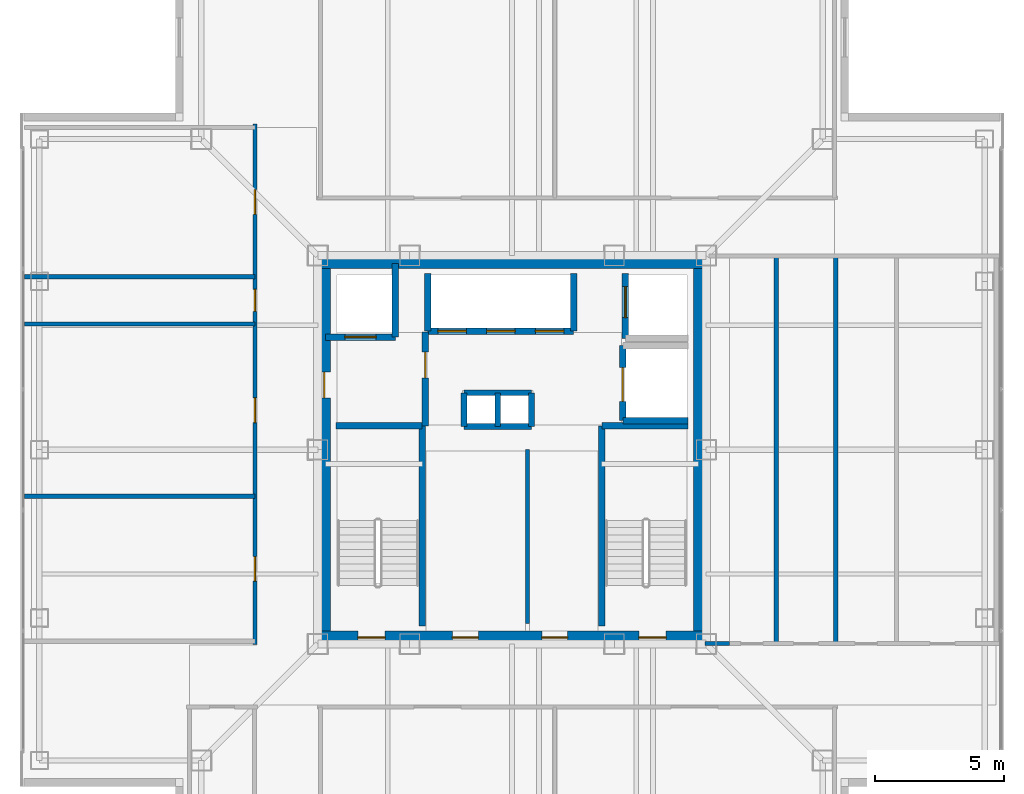
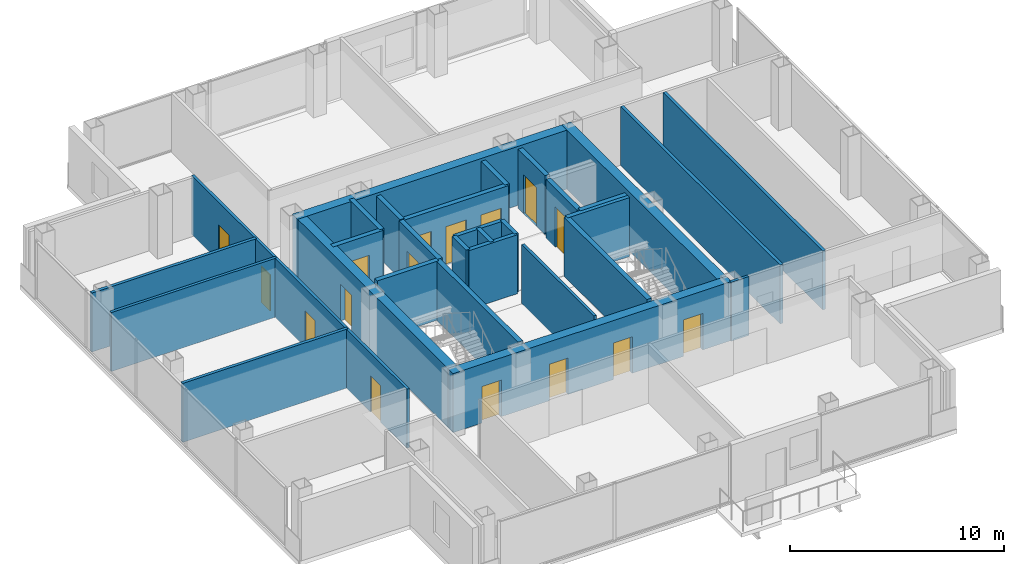
# One storey, part 8 of 15: 30 walls, 16 doors, 16 openings.
"""IFC4 building model written with IfcOpenShell, lengths in metres."""

from ifc_helpers import new_model, si_unit, direction, frame, frame_2d, origin, place, context, subcontext, project, spatial, rectangle, extrude, material, layer, layer_set, type_object, element, fill, save


model = new_model("IFC4")

# Units and contexts
model_context = context("Model", 3, precision=1e-05, world=origin(), true_north=direction((0.0, 1.0)))
body_context = subcontext(model_context, "Body", "Model", "MODEL_VIEW")
ifc_project = project(units=[si_unit("LENGTHUNIT", "METRE"), si_unit("AREAUNIT", "SQUARE_METRE"), si_unit("VOLUMEUNIT", "CUBIC_METRE"), si_unit("PLANEANGLEUNIT", "RADIAN"), si_unit("MASSUNIT", "GRAM", prefix="KILO")], contexts=[model_context])

# Site, building, storey
site_placement = place(None, origin())
site = spatial("IfcSite", under=ifc_project, at=site_placement, CompositionType="ELEMENT")
building_placement = place(site_placement, origin())
building = spatial("IfcBuilding", under=site, at=building_placement, Name="Trevonay Congress Spire", CompositionType="ELEMENT")
storey_placement = place(building_placement, frame((0.0, 0.0, 275.60009765625)))
storey = spatial("IfcBuildingStorey", under=building, at=storey_placement, Name="L72", CompositionType="ELEMENT", Elevation=275.60009765625)

# Wall, openings, doors
ifc_material_1 = material(Name="Concrete C50/60", Category="concrete")
ifc_layer_1 = layer(ifc_material_1, 0.5, Name="Concrete C50/60")
ifc_layer_set_1 = layer_set([ifc_layer_1], Name="Concrete C50/60")
wall_type_1 = type_object("IfcWallType", Name="WAL-CORE-500", PredefinedType="SHEAR", material=ifc_layer_set_1)
wall_1_placement = place(storey_placement, frame((-7.5, -7.25, 0.0), z_axis=(0.0, 0.0, 1.0), x_axis=(1.0, 0.0, 0.0)))
wall_1 = element("IfcWall", 1, at=wall_1_placement, inside=storey, type_object=wall_type_1, Name="L72 South structural core shear wall", PredefinedType="SHEAR", context=body_context, shape_type="SweptSolid", body=[
    extrude(rectangle(XDim=15.0, YDim=0.5, at=frame_2d((7.5, 0.0))), origin(), (0.0, 0.0, 1.0), 3.35986328125),
])
opening_1_placement = place(wall_1_placement, frame((1.550048828125, 0.0, 0.0)))
opening_1 = element("IfcOpeningElement", 2, at=opening_1_placement, cuts=wall_1, Name="Opening D05", PredefinedType="OPENING", context=body_context, shape_type="SweptSolid", body=[
    extrude(rectangle(XDim=1.050048828125, YDim=2.080078125, at=frame_2d((0.52490234375, 1.0400390625))), frame((0.0, 0.260009765625, 0.0), z_axis=(0.0, -1.0, 0.0), x_axis=(1.0, 0.0, 0.0)), (0.0, 0.0, 1.0), 0.52001953125),
])
opening_2_placement = place(wall_1_placement, frame((12.39990234375, 0.0, 0.0)))
opening_2 = element("IfcOpeningElement", 3, at=opening_2_placement, cuts=wall_1, Name="Opening D05", PredefinedType="OPENING", context=body_context, shape_type="SweptSolid", body=[
    extrude(rectangle(XDim=1.050048828125, YDim=2.080078125, at=frame_2d((0.52490234375, 1.0400390625))), frame((0.0, 0.260009765625, 0.0), z_axis=(0.0, -1.0, 0.0), x_axis=(1.0, 0.0, 0.0)), (0.0, 0.0, 1.0), 0.52001953125),
])
opening_3_placement = place(wall_1_placement, frame((5.199951171875, 0.0, 0.0)))
opening_3 = element("IfcOpeningElement", 4, at=opening_3_placement, cuts=wall_1, Name="Opening D06", PredefinedType="OPENING", context=body_context, shape_type="SweptSolid", body=[
    extrude(rectangle(XDim=1.0, YDim=2.080078125, at=frame_2d((0.5, 1.0400390625))), frame((0.0, 0.260009765625, 0.0), z_axis=(0.0, -1.0, 0.0), x_axis=(1.0, 0.0, 0.0)), (0.0, 0.0, 1.0), 0.52001953125),
])
opening_4_placement = place(wall_1_placement, frame((8.64990234375, 0.0, 0.0)))
opening_4 = element("IfcOpeningElement", 5, at=opening_4_placement, cuts=wall_1, Name="Opening D06", PredefinedType="OPENING", context=body_context, shape_type="SweptSolid", body=[
    extrude(rectangle(XDim=1.0, YDim=2.080078125, at=frame_2d((0.5, 1.0400390625))), frame((0.0, 0.260009765625, 0.0), z_axis=(0.0, -1.0, 0.0), x_axis=(1.0, 0.0, 0.0)), (0.0, 0.0, 1.0), 0.52001953125),
])
ifc_material_2 = material(Name="Steel ASTM A572 Grade 50", Category="steel")
door_type_1 = type_object("IfcDoorType", Name="DOR-FIRE-100", OperationType="NOTDEFINED", PredefinedType="DOOR", material=ifc_material_2)
door_1_placement = place(opening_3_placement, origin())
door_1 = element("IfcDoor", 6, at=door_1_placement, inside=storey, type_object=door_type_1, Name="L72 South Core Room 1 Door", OperationType="SINGLE_SWING_RIGHT", OverallHeight=2.080078125, OverallWidth=1.0, PredefinedType="DOOR", context=body_context, shape_type="SweptSolid", body=[
    extrude(rectangle(XDim=1.0, YDim=2.080078125, at=frame_2d((0.5, 1.0400390625))), frame((0.0, 0.02490234375, 0.0), z_axis=(0.0, -1.0, 0.0), x_axis=(1.0, 0.0, 0.0)), (0.0, 0.0, 1.0), 0.050048828125),
])
fill(opening_3, door_1)
door_2_placement = place(opening_4_placement, origin())
door_2 = element("IfcDoor", 7, at=door_2_placement, inside=storey, type_object=door_type_1, Name="L72 South Core Room 2 Door", OperationType="SINGLE_SWING_LEFT", OverallHeight=2.080078125, OverallWidth=1.0, PredefinedType="DOOR", context=body_context, shape_type="SweptSolid", body=[
    extrude(rectangle(XDim=1.0, YDim=2.080078125, at=frame_2d((0.5, 1.0400390625))), frame((0.0, 0.02490234375, 0.0), z_axis=(0.0, -1.0, 0.0), x_axis=(1.0, 0.0, 0.0)), (0.0, 0.0, 1.0), 0.050048828125),
])
fill(opening_4, door_2)
door_type_2 = type_object("IfcDoorType", Name="DOR-STAIR-110", OperationType="NOTDEFINED", PredefinedType="DOOR", material=ifc_material_2)
door_3_placement = place(opening_1_placement, origin())
door_3 = element("IfcDoor", 8, at=door_3_placement, inside=storey, type_object=door_type_2, Name="L72 Protected Stair ST-1 Door", OperationType="SINGLE_SWING_LEFT", OverallHeight=2.080078125, OverallWidth=1.050048828125, PredefinedType="DOOR", context=body_context, shape_type="SweptSolid", body=[
    extrude(rectangle(XDim=1.050048828125, YDim=2.080078125, at=frame_2d((0.52490234375, 1.0400390625))), frame((0.0, 0.02490234375, 0.0), z_axis=(0.0, -1.0, 0.0), x_axis=(1.0, 0.0, 0.0)), (0.0, 0.0, 1.0), 0.050048828125),
])
fill(opening_1, door_3)
door_4_placement = place(opening_2_placement, origin())
door_4 = element("IfcDoor", 9, at=door_4_placement, inside=storey, type_object=door_type_2, Name="L72 Protected Stair ST-2 Door", OperationType="SINGLE_SWING_RIGHT", OverallHeight=2.080078125, OverallWidth=1.050048828125, PredefinedType="DOOR", context=body_context, shape_type="SweptSolid", body=[
    extrude(rectangle(XDim=1.050048828125, YDim=2.080078125, at=frame_2d((0.52490234375, 1.0400390625))), frame((0.0, 0.02490234375, 0.0), z_axis=(0.0, -1.0, 0.0), x_axis=(1.0, 0.0, 0.0)), (0.0, 0.0, 1.0), 0.050048828125),
])
fill(opening_2, door_4)

# Wall
wall_2_placement = place(storey_placement, frame((-7.5, 7.25, 0.0), z_axis=(0.0, 0.0, 1.0), x_axis=(1.0, 0.0, 0.0)))
element("IfcWall", 10, at=wall_2_placement, inside=storey, type_object=wall_type_1, Name="L72 North structural core shear wall", PredefinedType="SHEAR", context=body_context, shape_type="SweptSolid", body=[
    extrude(rectangle(XDim=15.0, YDim=0.5, at=frame_2d((7.5, 0.0))), origin(), (0.0, 0.0, 1.0), 3.35986328125),
])

# Wall, opening, door
wall_3_placement = place(storey_placement, frame((-7.25, -7.5, 0.0), z_axis=(0.0, 0.0, 1.0), x_axis=(0.0, 1.0, 0.0)))
wall_3 = element("IfcWall", 11, at=wall_3_placement, inside=storey, type_object=wall_type_1, Name="L72 West structural core shear wall", PredefinedType="SHEAR", context=body_context, shape_type="SweptSolid", body=[
    extrude(rectangle(XDim=15.0, YDim=0.5, at=frame_2d((7.5, 0.0))), origin(), (0.0, 0.0, 1.0), 3.35986328125),
])
opening_5_placement = place(wall_3_placement, frame((9.5, 0.0, 0.0)))
opening_5 = element("IfcOpeningElement", 12, at=opening_5_placement, cuts=wall_3, Name="Opening D06", PredefinedType="OPENING", context=body_context, shape_type="SweptSolid", body=[
    extrude(rectangle(XDim=1.0, YDim=2.080078125, at=frame_2d((0.5, 1.0400390625))), frame((0.0, 0.260009765625, 0.0), z_axis=(0.0, -1.0, 0.0), x_axis=(1.0, 0.0, 0.0)), (0.0, 0.0, 1.0), 0.52001953125),
])
door_5_placement = place(opening_5_placement, origin())
door_5 = element("IfcDoor", 13, at=door_5_placement, inside=storey, type_object=door_type_1, Name="L72 Firefighting Lift Lobby West Corridor Door", OperationType="SINGLE_SWING_LEFT", OverallHeight=2.080078125, OverallWidth=1.0, PredefinedType="DOOR", context=body_context, shape_type="SweptSolid", body=[
    extrude(rectangle(XDim=1.0, YDim=2.080078125, at=frame_2d((0.5, 1.0400390625))), frame((0.0, 0.02490234375, 0.0), z_axis=(0.0, -1.0, 0.0), x_axis=(1.0, 0.0, 0.0)), (0.0, 0.0, 1.0), 0.050048828125),
])
fill(opening_5, door_5)

# Wall
wall_4_placement = place(storey_placement, frame((7.25, -7.5, 0.0), z_axis=(0.0, 0.0, 1.0), x_axis=(0.0, 1.0, 0.0)))
element("IfcWall", 14, at=wall_4_placement, inside=storey, type_object=wall_type_1, Name="L72 East structural core shear wall", PredefinedType="SHEAR", context=body_context, shape_type="SweptSolid", body=[
    extrude(rectangle(XDim=15.0, YDim=0.5, at=frame_2d((7.5, 0.0))), origin(), (0.0, 0.0, 1.0), 3.35986328125),
])

# Wall, openings, doors
ifc_material_3 = material(Name="Concrete C40/50", Category="concrete")
ifc_layer_2 = layer(ifc_material_3, 0.14990234375, Name="Concrete C40/50")
ifc_layer_set_2 = layer_set([ifc_layer_2], Name="Concrete C40/50")
wall_type_2 = type_object("IfcWallType", Name="WAL-CORR-150", PredefinedType="PARTITIONING", material=ifc_layer_set_2)
wall_5_placement = place(storey_placement, frame((-9.929931640625, -7.52001953125, 0.0), z_axis=(0.0, 0.0, 1.0), x_axis=(0.0, 1.0, 0.0)))
wall_5 = element("IfcWall", 15, at=wall_5_placement, inside=storey, type_object=wall_type_2, Name="L72 interior wall WP-L72NW-COR", PredefinedType="PARTITIONING", context=body_context, shape_type="SweptSolid", body=[
    extrude(rectangle(XDim=20.090087890625, YDim=0.14990234375, at=frame_2d((10.044921875, 0.0))), origin(), (0.0, 0.0, 1.0), 3.35986328125),
])
opening_6_placement = place(wall_5_placement, frame((2.445068359375, 0.0, 0.0)))
opening_6 = element("IfcOpeningElement", 16, at=opening_6_placement, cuts=wall_5, Name="Opening D07", PredefinedType="OPENING", context=body_context, shape_type="SweptSolid", body=[
    extrude(rectangle(XDim=0.949951171875, YDim=2.06005859375, at=frame_2d((0.47509765625, 1.030029296875))), frame((0.0, 0.0849609375, 0.0), z_axis=(0.0, -1.0, 0.0), x_axis=(1.0, 0.0, 0.0)), (0.0, 0.0, 1.0), 0.169921875),
])
opening_7_placement = place(wall_5_placement, frame((8.570068359375, 0.0, 0.0)))
opening_7 = element("IfcOpeningElement", 17, at=opening_7_placement, cuts=wall_5, Name="Opening D07", PredefinedType="OPENING", context=body_context, shape_type="SweptSolid", body=[
    extrude(rectangle(XDim=0.949951171875, YDim=2.06005859375, at=frame_2d((0.47509765625, 1.030029296875))), frame((0.0, 0.0849609375, 0.0), z_axis=(0.0, -1.0, 0.0), x_axis=(1.0, 0.0, 0.0)), (0.0, 0.0, 1.0), 0.169921875),
])
opening_8_placement = place(wall_5_placement, frame((12.860107421875, 0.0, 0.0)))
opening_8 = element("IfcOpeningElement", 18, at=opening_8_placement, cuts=wall_5, Name="Opening D10", PredefinedType="OPENING", context=body_context, shape_type="SweptSolid", body=[
    extrude(rectangle(XDim=0.85009765625, YDim=2.050048828125, at=frame_2d((0.425048828125, 1.02490234375))), frame((0.0, 0.0849609375, 0.0), z_axis=(0.0, -1.0, 0.0), x_axis=(1.0, 0.0, 0.0)), (0.0, 0.0, 1.0), 0.169921875),
])
opening_9_placement = place(wall_5_placement, frame((16.610107421875, 0.0, 0.0)))
opening_9 = element("IfcOpeningElement", 19, at=opening_9_placement, cuts=wall_5, Name="Opening D07", PredefinedType="OPENING", context=body_context, shape_type="SweptSolid", body=[
    extrude(rectangle(XDim=0.949951171875, YDim=2.06005859375, at=frame_2d((0.47509765625, 1.030029296875))), frame((0.0, 0.0849609375, 0.0), z_axis=(0.0, -1.0, 0.0), x_axis=(1.0, 0.0, 0.0)), (0.0, 0.0, 1.0), 0.169921875),
])
ifc_material_4 = material(Name="Pale Anodised Aluminium EN AW-6063-T6", Category="aluminium")
door_type_3 = type_object("IfcDoorType", Name="DOR-OFFICE-95", OperationType="NOTDEFINED", PredefinedType="DOOR", material=ifc_material_4)
door_6_placement = place(opening_6_placement, origin())
door_6 = element("IfcDoor", 20, at=door_6_placement, inside=storey, type_object=door_type_3, Name="L72 Green Bonds Desk Office Door", OperationType="SINGLE_SWING_RIGHT", OverallHeight=2.06005859375, OverallWidth=0.949951171875, PredefinedType="DOOR", context=body_context, shape_type="SweptSolid", body=[
    extrude(rectangle(XDim=0.949951171875, YDim=2.06005859375, at=frame_2d((0.47509765625, 1.030029296875))), frame((0.0, 0.02490234375, 0.0), z_axis=(0.0, -1.0, 0.0), x_axis=(1.0, 0.0, 0.0)), (0.0, 0.0, 1.0), 0.050048828125),
])
fill(opening_6, door_6)
door_7_placement = place(opening_7_placement, origin())
door_7 = element("IfcDoor", 21, at=door_7_placement, inside=storey, type_object=door_type_3, Name="L72 Infrastructure Desk Office Door", OperationType="SINGLE_SWING_LEFT", OverallHeight=2.06005859375, OverallWidth=0.949951171875, PredefinedType="DOOR", context=body_context, shape_type="SweptSolid", body=[
    extrude(rectangle(XDim=0.949951171875, YDim=2.06005859375, at=frame_2d((0.47509765625, 1.030029296875))), frame((0.0, 0.02490234375, 0.0), z_axis=(0.0, -1.0, 0.0), x_axis=(1.0, 0.0, 0.0)), (0.0, 0.0, 1.0), 0.050048828125),
])
fill(opening_7, door_7)
door_8_placement = place(opening_9_placement, origin())
door_8 = element("IfcDoor", 22, at=door_8_placement, inside=storey, type_object=door_type_3, Name="L72 Floor Supplies and Copy Room Door", OperationType="SINGLE_SWING_LEFT", OverallHeight=2.06005859375, OverallWidth=0.949951171875, PredefinedType="DOOR", context=body_context, shape_type="SweptSolid", body=[
    extrude(rectangle(XDim=0.949951171875, YDim=2.06005859375, at=frame_2d((0.47509765625, 1.030029296875))), frame((0.0, 0.02490234375, 0.0), z_axis=(0.0, -1.0, 0.0), x_axis=(1.0, 0.0, 0.0)), (0.0, 0.0, 1.0), 0.050048828125),
])
fill(opening_9, door_8)
door_type_4 = type_object("IfcDoorType", Name="DOR-WC-85", OperationType="NOTDEFINED", PredefinedType="DOOR", material=ifc_material_4)
door_9_placement = place(opening_8_placement, origin())
door_9 = element("IfcDoor", 23, at=door_9_placement, inside=storey, type_object=door_type_4, Name="L72 Accessible WC Door", OperationType="SINGLE_SWING_RIGHT", OverallHeight=2.050048828125, OverallWidth=0.85009765625, PredefinedType="DOOR", context=body_context, shape_type="SweptSolid", body=[
    extrude(rectangle(XDim=0.85009765625, YDim=2.050048828125, at=frame_2d((0.425048828125, 1.02490234375))), frame((0.0, 0.02490234375, 0.0), z_axis=(0.0, -1.0, 0.0), x_axis=(1.0, 0.0, 0.0)), (0.0, 0.0, 1.0), 0.050048828125),
])
fill(opening_8, door_9)

# Walls
wall_6_placement = place(storey_placement, frame((7.449951171875, -7.47998046875, 0.0), z_axis=(0.0, 0.0, 1.0), x_axis=(1.0, 0.0, 0.0)))
element("IfcWall", 24, at=wall_6_placement, inside=storey, type_object=wall_type_2, Name="L72 interior wall WP-L72E-STUB", PredefinedType="PARTITIONING", context=body_context, shape_type="SweptSolid", body=[
    extrude(rectangle(XDim=0.949951171875, YDim=0.14990234375, at=frame_2d((0.47509765625, 0.0))), origin(), (0.0, 0.0, 1.0), 3.35986328125),
])
ifc_layer_3 = layer(ifc_material_3, 0.14990234375, Name="Concrete C40/50")
ifc_layer_set_3 = layer_set([ifc_layer_3], Name="Concrete C40/50")
wall_type_3 = type_object("IfcWallType", Name="WAL-PART-150", PredefinedType="PARTITIONING", material=ifc_layer_set_3)
wall_7_placement = place(storey_placement, frame((0.60009765625, -6.719970703125, 0.0), z_axis=(0.0, 0.0, 1.0), x_axis=(0.0, 1.0, 0.0)))
element("IfcWall", 25, at=wall_7_placement, inside=storey, type_object=wall_type_3, Name="L72 interior wall CW-F1V-L72", PredefinedType="PARTITIONING", context=body_context, shape_type="SweptSolid", body=[
    extrude(rectangle(XDim=6.719970703125, YDim=0.14990234375, at=frame_2d((3.35986328125, 0.0))), origin(), (0.0, 0.0, 1.0), 3.35986328125),
])
wall_8_placement = place(storey_placement, frame((-18.820068359375, 4.85009765625, 0.0), z_axis=(0.0, 0.0, 1.0), x_axis=(1.0, 0.0, 0.0)))
element("IfcWall", 26, at=wall_8_placement, inside=storey, type_object=wall_type_3, Name="L72 interior wall WP-L72NW-DIV3", PredefinedType="PARTITIONING", context=body_context, shape_type="SweptSolid", body=[
    extrude(rectangle(XDim=8.89013671875, YDim=0.14990234375, at=frame_2d((4.445068359375, 0.0))), origin(), (0.0, 0.0, 1.0), 3.35986328125),
])
ifc_layer_4 = layer(ifc_material_3, 0.219970703125, Name="Concrete C40/50")
ifc_layer_set_4 = layer_set([ifc_layer_4], Name="Concrete C40/50")
wall_type_4 = type_object("IfcWallType", Name="WAL-SHAFT-220", PredefinedType="PARTITIONING", material=ifc_layer_set_4)
for number, where, z_axis, x_axis, name in (
    (27, (-1.85009765625, 2.199951171875, 0.0), (0.0, 0.0, 1.0), (1.0, 0.0, 0.0), "L72 interior shaft wall WSH-L72-RSR-N"),
    (28, (-1.85009765625, 0.89990234375, 0.0), (0.0, 0.0, 1.0), (1.0, 0.0, 0.0), "L72 interior shaft wall WSH-L72-RSR-S"),
):
    element("IfcWall", number, at=place(storey_placement, frame(where, z_axis=z_axis, x_axis=x_axis)), inside=storey, type_object=wall_type_4, Name=name, PredefinedType="PARTITIONING", context=body_context, shape_type="SweptSolid", body=[
        extrude(rectangle(XDim=2.60009765625, YDim=0.219970703125, at=frame_2d((1.300048828125, 0.0))), origin(), (0.0, 0.0, 1.0), 3.35986328125),
    ])
for number, where, z_axis, x_axis, name in (
    (29, (-0.550048828125, 0.89990234375, 0.0), (0.0, 0.0, 1.0), (0.0, 1.0, 0.0), "L72 interior shaft wall WSH-L72-RSR-M"),
    (30, (0.75, 0.89990234375, 0.0), (0.0, 0.0, 1.0), (0.0, 1.0, 0.0), "L72 interior shaft wall WSH-L72-RSR-E"),
    (31, (-1.85009765625, 0.89990234375, 0.0), (0.0, 0.0, 1.0), (0.0, 1.0, 0.0), "L72 interior shaft wall WSH-L72-RSR-W"),
):
    element("IfcWall", number, at=place(storey_placement, frame(where, z_axis=z_axis, x_axis=x_axis)), inside=storey, type_object=wall_type_4, Name=name, PredefinedType="PARTITIONING", context=body_context, shape_type="SweptSolid", body=[
        extrude(rectangle(XDim=1.300048828125, YDim=0.219970703125, at=frame_2d((0.64990234375, 0.0))), origin(), (0.0, 0.0, 1.0), 3.35986328125),
    ])

# Wall, openings, doors
ifc_layer_5 = layer(ifc_material_3, 0.25, Name="Concrete C40/50")
ifc_layer_set_5 = layer_set([ifc_layer_5], Name="Concrete C40/50")
wall_type_5 = type_object("IfcWallType", Name="WAL-SHAFT-250", PredefinedType="SHEAR", material=ifc_layer_set_5)
wall_9_placement = place(storey_placement, frame((-3.260009765625, 4.580078125, 0.0), z_axis=(0.0, 0.0, 1.0), x_axis=(1.0, 0.0, 0.0)))
wall_9 = element("IfcWall", 32, at=wall_9_placement, inside=storey, type_object=wall_type_5, Name="L72 interior shaft wall WSH-L72-B3-S", PredefinedType="SHEAR", context=body_context, shape_type="SweptSolid", body=[
    extrude(rectangle(XDim=5.639892578125, YDim=0.25, at=frame_2d((2.81982421875, 0.0))), origin(), (0.0, 0.0, 1.0), 3.35986328125),
])
opening_10_placement = place(wall_9_placement, frame((0.39990234375, 0.0, 0.0)))
opening_10 = element("IfcOpeningElement", 33, at=opening_10_placement, cuts=wall_9, Name="Opening LD03", PredefinedType="OPENING", context=body_context, shape_type="SweptSolid", body=[
    extrude(rectangle(XDim=1.10009765625, YDim=2.199951171875, at=frame_2d((0.550048828125, 1.10009765625))), frame((0.0, 0.135009765625, 0.0), z_axis=(0.0, -1.0, 0.0), x_axis=(1.0, 0.0, 0.0)), (0.0, 0.0, 1.0), 0.27001953125),
])
opening_11_placement = place(wall_9_placement, frame((2.280029296875, 0.0, 0.0)))
opening_11 = element("IfcOpeningElement", 34, at=opening_11_placement, cuts=wall_9, Name="Opening LD03", PredefinedType="OPENING", context=body_context, shape_type="SweptSolid", body=[
    extrude(rectangle(XDim=1.10009765625, YDim=2.199951171875, at=frame_2d((0.550048828125, 1.10009765625))), frame((0.0, 0.135009765625, 0.0), z_axis=(0.0, -1.0, 0.0), x_axis=(1.0, 0.0, 0.0)), (0.0, 0.0, 1.0), 0.27001953125),
])
opening_12_placement = place(wall_9_placement, frame((4.159912109375, 0.0, 0.0)))
opening_12 = element("IfcOpeningElement", 35, at=opening_12_placement, cuts=wall_9, Name="Opening LD03", PredefinedType="OPENING", context=body_context, shape_type="SweptSolid", body=[
    extrude(rectangle(XDim=1.10009765625, YDim=2.199951171875, at=frame_2d((0.550048828125, 1.10009765625))), frame((0.0, 0.135009765625, 0.0), z_axis=(0.0, -1.0, 0.0), x_axis=(1.0, 0.0, 0.0)), (0.0, 0.0, 1.0), 0.27001953125),
])
door_type_5 = type_object("IfcDoorType", Name="DOR-LIFT-LD03", OperationType="DOUBLE_DOOR_SLIDING", PredefinedType="DOOR", material=ifc_material_4)
door_10_placement = place(opening_10_placement, origin())
door_10 = element("IfcDoor", 36, at=door_10_placement, inside=storey, type_object=door_type_5, Name="L72 Passenger lift PL-07 landing door", OperationType="DOUBLE_DOOR_SLIDING", OverallHeight=2.199951171875, OverallWidth=1.10009765625, PredefinedType="DOOR", context=body_context, shape_type="SweptSolid", body=[
    extrude(rectangle(XDim=1.10009765625, YDim=2.199951171875, at=frame_2d((0.550048828125, 1.10009765625))), frame((0.0, 0.02490234375, 0.0), z_axis=(0.0, -1.0, 0.0), x_axis=(1.0, 0.0, 0.0)), (0.0, 0.0, 1.0), 0.050048828125),
])
fill(opening_10, door_10)
door_11_placement = place(opening_11_placement, origin())
door_11 = element("IfcDoor", 37, at=door_11_placement, inside=storey, type_object=door_type_5, Name="L72 Passenger lift PL-08 landing door", OperationType="DOUBLE_DOOR_SLIDING", OverallHeight=2.199951171875, OverallWidth=1.10009765625, PredefinedType="DOOR", context=body_context, shape_type="SweptSolid", body=[
    extrude(rectangle(XDim=1.10009765625, YDim=2.199951171875, at=frame_2d((0.550048828125, 1.10009765625))), frame((0.0, 0.02490234375, 0.0), z_axis=(0.0, -1.0, 0.0), x_axis=(1.0, 0.0, 0.0)), (0.0, 0.0, 1.0), 0.050048828125),
])
fill(opening_11, door_11)
door_12_placement = place(opening_12_placement, origin())
door_12 = element("IfcDoor", 38, at=door_12_placement, inside=storey, type_object=door_type_5, Name="L72 Passenger lift PL-09 landing door", OperationType="DOUBLE_DOOR_SLIDING", OverallHeight=2.199951171875, OverallWidth=1.10009765625, PredefinedType="DOOR", context=body_context, shape_type="SweptSolid", body=[
    extrude(rectangle(XDim=1.10009765625, YDim=2.199951171875, at=frame_2d((0.550048828125, 1.10009765625))), frame((0.0, 0.02490234375, 0.0), z_axis=(0.0, -1.0, 0.0), x_axis=(1.0, 0.0, 0.0)), (0.0, 0.0, 1.0), 0.050048828125),
])
fill(opening_12, door_12)

# Walls
for number, where, z_axis, x_axis, name in (
    (39, (-3.260009765625, 4.580078125, 0.0), (0.0, 0.0, 1.0), (0.0, 1.0, 0.0), "L72 interior shaft wall WSH-L72-B3-W"),
    (40, (2.3798828125, 4.580078125, 0.0), (0.0, 0.0, 1.0), (0.0, 1.0, 0.0), "L72 interior shaft wall WSH-L72-B3-E"),
):
    element("IfcWall", number, at=place(storey_placement, frame(where, z_axis=z_axis, x_axis=x_axis)), inside=storey, type_object=wall_type_5, Name=name, PredefinedType="SHEAR", context=body_context, shape_type="SweptSolid", body=[
        extrude(rectangle(XDim=2.219970703125, YDim=0.25, at=frame_2d((1.10986328125, 0.0))), origin(), (0.0, 0.0, 1.0), 3.35986328125),
    ])

# Wall, opening, door
wall_10_placement = place(storey_placement, frame((-7.199951171875, 4.35009765625, 0.0), z_axis=(0.0, 0.0, 1.0), x_axis=(1.0, 0.0, 0.0)))
wall_10 = element("IfcWall", 41, at=wall_10_placement, inside=storey, type_object=wall_type_5, Name="L72 interior shaft wall WSH-L72-FF1-S", PredefinedType="SHEAR", context=body_context, shape_type="SweptSolid", body=[
    extrude(rectangle(XDim=2.699951171875, YDim=0.25, at=frame_2d((1.35009765625, 0.0))), origin(), (0.0, 0.0, 1.0), 3.35986328125),
])
opening_13_placement = place(wall_10_placement, frame((0.75, 0.0, 0.0)))
opening_13 = element("IfcOpeningElement", 42, at=opening_13_placement, cuts=wall_10, Name="Opening LD04", PredefinedType="OPENING", context=body_context, shape_type="SweptSolid", body=[
    extrude(rectangle(XDim=1.199951171875, YDim=2.199951171875, at=frame_2d((0.60009765625, 1.10009765625))), frame((0.0, 0.135009765625, 0.0), z_axis=(0.0, -1.0, 0.0), x_axis=(1.0, 0.0, 0.0)), (0.0, 0.0, 1.0), 0.27001953125),
])
door_type_6 = type_object("IfcDoorType", Name="DOR-LIFT-LD04", OperationType="DOUBLE_DOOR_SLIDING", PredefinedType="DOOR", material=ifc_material_2)
door_13_placement = place(opening_13_placement, origin())
door_13 = element("IfcDoor", 43, at=door_13_placement, inside=storey, type_object=door_type_6, Name="L72 Firefighting lift FFL-01 landing door", OperationType="DOUBLE_DOOR_SLIDING", OverallHeight=2.199951171875, OverallWidth=1.199951171875, PredefinedType="DOOR", context=body_context, shape_type="SweptSolid", body=[
    extrude(rectangle(XDim=1.199951171875, YDim=2.199951171875, at=frame_2d((0.60009765625, 1.10009765625))), frame((0.0, 0.02490234375, 0.0), z_axis=(0.0, -1.0, 0.0), x_axis=(1.0, 0.0, 0.0)), (0.0, 0.0, 1.0), 0.050048828125),
])
fill(opening_13, door_13)

# Wall
wall_11_placement = place(storey_placement, frame((-4.5, 4.35009765625, 0.0), z_axis=(0.0, 0.0, 1.0), x_axis=(0.0, 1.0, 0.0)))
element("IfcWall", 44, at=wall_11_placement, inside=storey, type_object=wall_type_5, Name="L72 interior shaft wall WSH-L72-FF1-E", PredefinedType="SHEAR", context=body_context, shape_type="SweptSolid", body=[
    extrude(rectangle(XDim=2.849853515625, YDim=0.25, at=frame_2d((1.4248046875, 0.0))), origin(), (0.0, 0.0, 1.0), 3.35986328125),
])

# Wall, opening, door
wall_12_placement = place(storey_placement, frame((4.3798828125, 4.300048828125, 0.0), z_axis=(0.0, 0.0, 1.0), x_axis=(0.0, 1.0, 0.0)))
wall_12 = element("IfcWall", 45, at=wall_12_placement, inside=storey, type_object=wall_type_5, Name="L72 interior shaft wall WSH-L72-FF2-W", PredefinedType="SHEAR", context=body_context, shape_type="SweptSolid", body=[
    extrude(rectangle(XDim=2.5, YDim=0.25, at=frame_2d((1.25, 0.0))), origin(), (0.0, 0.0, 1.0), 3.35986328125),
])
opening_14_placement = place(wall_12_placement, frame((0.800048828125, 0.0, 0.0)))
opening_14 = element("IfcOpeningElement", 46, at=opening_14_placement, cuts=wall_12, Name="Opening LD04", PredefinedType="OPENING", context=body_context, shape_type="SweptSolid", body=[
    extrude(rectangle(XDim=1.199951171875, YDim=2.199951171875, at=frame_2d((0.60009765625, 1.10009765625))), frame((0.0, 0.135009765625, 0.0), z_axis=(0.0, -1.0, 0.0), x_axis=(1.0, 0.0, 0.0)), (0.0, 0.0, 1.0), 0.27001953125),
])
door_14_placement = place(opening_14_placement, origin())
door_14 = element("IfcDoor", 47, at=door_14_placement, inside=storey, type_object=door_type_6, Name="L72 Firefighting lift FFL-02 landing door", OperationType="DOUBLE_DOOR_SLIDING", OverallHeight=2.199951171875, OverallWidth=1.199951171875, PredefinedType="DOOR", context=body_context, shape_type="SweptSolid", body=[
    extrude(rectangle(XDim=1.199951171875, YDim=2.199951171875, at=frame_2d((0.60009765625, 1.10009765625))), frame((0.0, 0.02490234375, 0.0), z_axis=(0.0, -1.0, 0.0), x_axis=(1.0, 0.0, 0.0)), (0.0, 0.0, 1.0), 0.050048828125),
])
fill(opening_14, door_14)

wall_13_placement = place(storey_placement, frame((4.280029296875, 1.1201171875, 0.0), z_axis=(0.0, 0.0, 1.0), x_axis=(0.0, 1.0, 0.0)))
wall_13 = element("IfcWall", 48, at=wall_13_placement, inside=storey, type_object=wall_type_5, Name="L72 interior shaft wall WSH-L72-SV-W", PredefinedType="SHEAR", context=body_context, shape_type="SweptSolid", body=[
    extrude(rectangle(XDim=2.89990234375, YDim=0.25, at=frame_2d((1.449951171875, 0.0))), origin(), (0.0, 0.0, 1.0), 3.35986328125),
])
opening_15_placement = place(wall_13_placement, frame((0.75, 0.0, 0.0)))
opening_15 = element("IfcOpeningElement", 49, at=opening_15_placement, cuts=wall_13, Name="Opening LD05", PredefinedType="OPENING", context=body_context, shape_type="SweptSolid", body=[
    extrude(rectangle(XDim=1.300048828125, YDim=2.300048828125, at=frame_2d((0.64990234375, 1.14990234375))), frame((0.0, 0.135009765625, 0.0), z_axis=(0.0, -1.0, 0.0), x_axis=(1.0, 0.0, 0.0)), (0.0, 0.0, 1.0), 0.27001953125),
])
door_type_7 = type_object("IfcDoorType", Name="DOR-LIFT-LD05", OperationType="DOUBLE_DOOR_SLIDING", PredefinedType="DOOR", material=ifc_material_2)
door_15_placement = place(opening_15_placement, origin())
door_15 = element("IfcDoor", 50, at=door_15_placement, inside=storey, type_object=door_type_7, Name="L72 Goods lift SVL-01 landing door", OperationType="DOUBLE_DOOR_SLIDING", OverallHeight=2.300048828125, OverallWidth=1.300048828125, PredefinedType="DOOR", context=body_context, shape_type="SweptSolid", body=[
    extrude(rectangle(XDim=1.300048828125, YDim=2.300048828125, at=frame_2d((0.64990234375, 1.14990234375))), frame((0.0, 0.02490234375, 0.0), z_axis=(0.0, -1.0, 0.0), x_axis=(1.0, 0.0, 0.0)), (0.0, 0.0, 1.0), 0.050048828125),
])
fill(opening_15, door_15)

# Wall
wall_14_placement = place(storey_placement, frame((4.280029296875, 1.1201171875, 0.0), z_axis=(0.0, 0.0, 1.0), x_axis=(1.0, 0.0, 0.0)))
element("IfcWall", 51, at=wall_14_placement, inside=storey, type_object=wall_type_5, Name="L72 interior shaft wall WSH-L72-SV-S", PredefinedType="SHEAR", context=body_context, shape_type="SweptSolid", body=[
    extrude(rectangle(XDim=2.52001953125, YDim=0.25, at=frame_2d((1.260009765625, 0.0))), origin(), (0.0, 0.0, 1.0), 3.35986328125),
])

# Wall, opening, door
wall_15_placement = place(storey_placement, frame((-3.35009765625, 0.919921875, 0.0), z_axis=(0.0, 0.0, 1.0), x_axis=(0.0, 1.0, 0.0)))
wall_15 = element("IfcWall", 52, at=wall_15_placement, inside=storey, type_object=wall_type_5, Name="L72 interior wall CW-FFLW-E-L72", PredefinedType="SHEAR", context=body_context, shape_type="SweptSolid", body=[
    extrude(rectangle(XDim=3.6201171875, YDim=0.25, at=frame_2d((1.81005859375, 0.0))), origin(), (0.0, 0.0, 1.0), 3.35986328125),
])
opening_16_placement = place(wall_15_placement, frame((1.85009765625, 0.0, 0.0)))
opening_16 = element("IfcOpeningElement", 53, at=opening_16_placement, cuts=wall_15, Name="Opening D06", PredefinedType="OPENING", context=body_context, shape_type="SweptSolid", body=[
    extrude(rectangle(XDim=1.0, YDim=2.080078125, at=frame_2d((0.5, 1.0400390625))), frame((0.0, 0.135009765625, 0.0), z_axis=(0.0, -1.0, 0.0), x_axis=(1.0, 0.0, 0.0)), (0.0, 0.0, 1.0), 0.27001953125),
])
door_16_placement = place(opening_16_placement, origin())
door_16 = element("IfcDoor", 54, at=door_16_placement, inside=storey, type_object=door_type_1, Name="L72 Firefighting Core Lobby Transfer Door", OperationType="SINGLE_SWING_RIGHT", OverallHeight=2.080078125, OverallWidth=1.0, PredefinedType="DOOR", context=body_context, shape_type="SweptSolid", body=[
    extrude(rectangle(XDim=1.0, YDim=2.080078125, at=frame_2d((0.5, 1.0400390625))), frame((0.0, 0.02490234375, 0.0), z_axis=(0.0, -1.0, 0.0), x_axis=(1.0, 0.0, 0.0)), (0.0, 0.0, 1.0), 0.050048828125),
])
fill(opening_16, door_16)

# Walls
ifc_layer_6 = layer(ifc_material_3, 0.25, Name="Concrete C40/50")
ifc_layer_set_6 = layer_set([ifc_layer_6], Name="Concrete C40/50")
wall_type_6 = type_object("IfcWallType", Name="WAL-SHAFT-LB-250", PredefinedType="SHEAR", material=ifc_layer_set_6)
wall_16_placement = place(storey_placement, frame((-3.469970703125, -6.800048828125, 0.0), z_axis=(0.0, 0.0, 1.0), x_axis=(0.0, 1.0, 0.0)))
element("IfcWall", 55, at=wall_16_placement, inside=storey, type_object=wall_type_6, Name="L72 interior shaft wall WSH-L72-ST1-E", PredefinedType="SHEAR", context=body_context, shape_type="SweptSolid", body=[
    extrude(rectangle(XDim=7.719970703125, YDim=0.25, at=frame_2d((3.85986328125, 0.0))), origin(), (0.0, 0.0, 1.0), 3.35986328125),
])
wall_17_placement = place(storey_placement, frame((-6.800048828125, 0.919921875, 0.0), z_axis=(0.0, 0.0, 1.0), x_axis=(1.0, 0.0, 0.0)))
element("IfcWall", 56, at=wall_17_placement, inside=storey, type_object=wall_type_6, Name="L72 interior shaft wall WSH-L72-ST1-N", PredefinedType="SHEAR", context=body_context, shape_type="SweptSolid", body=[
    extrude(rectangle(XDim=3.330078125, YDim=0.25, at=frame_2d((1.6650390625, 0.0))), origin(), (0.0, 0.0, 1.0), 3.35986328125),
])
wall_18_placement = place(storey_placement, frame((3.469970703125, -6.800048828125, 0.0), z_axis=(0.0, 0.0, 1.0), x_axis=(0.0, 1.0, 0.0)))
element("IfcWall", 57, at=wall_18_placement, inside=storey, type_object=wall_type_6, Name="L72 interior shaft wall WSH-L72-ST2-W", PredefinedType="SHEAR", context=body_context, shape_type="SweptSolid", body=[
    extrude(rectangle(XDim=7.719970703125, YDim=0.25, at=frame_2d((3.85986328125, 0.0))), origin(), (0.0, 0.0, 1.0), 3.35986328125),
])
wall_19_placement = place(storey_placement, frame((3.469970703125, 0.919921875, 0.0), z_axis=(0.0, 0.0, 1.0), x_axis=(1.0, 0.0, 0.0)))
element("IfcWall", 58, at=wall_19_placement, inside=storey, type_object=wall_type_6, Name="L72 interior shaft wall WSH-L72-ST2-N", PredefinedType="SHEAR", context=body_context, shape_type="SweptSolid", body=[
    extrude(rectangle(XDim=3.330078125, YDim=0.25, at=frame_2d((1.6650390625, 0.0))), origin(), (0.0, 0.0, 1.0), 3.35986328125),
])
ifc_layer_7 = layer(ifc_material_3, 0.1650390625, Name="Concrete C40/50")
ifc_layer_set_7 = layer_set([ifc_layer_7], Name="Concrete C40/50")
wall_type_7 = type_object("IfcWallType", Name="WAL-WET-165", PredefinedType="PLUMBINGWALL", material=ifc_layer_set_7)
for number, where, z_axis, x_axis, name in (
    (59, (-18.820068359375, 6.679931640625, 0.0), (0.0, 0.0, 1.0), (1.0, 0.0, 0.0), "L72 interior wall WP-L72NW-WCS3"),
    (60, (-18.820068359375, -1.800048828125, 0.0), (0.0, 0.0, 1.0), (1.0, 0.0, 0.0), "L72 interior wall WP-L72NW-DIV2"),
):
    element("IfcWall", number, at=place(storey_placement, frame(where, z_axis=z_axis, x_axis=x_axis)), inside=storey, type_object=wall_type_7, Name=name, PredefinedType="PLUMBINGWALL", context=body_context, shape_type="SweptSolid", body=[
        extrude(rectangle(XDim=8.89013671875, YDim=0.1650390625, at=frame_2d((4.445068359375, 0.0))), origin(), (0.0, 0.0, 1.0), 3.35986328125),
    ])
for number, where, z_axis, x_axis, name in (
    (61, (10.2099609375, -7.47998046875, 0.0), (0.0, 0.0, 1.0), (0.0, 1.0, 0.0), "L72 interior wall WP-L72E-WCS1"),
    (62, (12.5, -7.47998046875, 0.0), (0.0, 0.0, 1.0), (0.0, 1.0, 0.0), "L72 interior wall WP-L72E-DIV1"),
):
    element("IfcWall", number, at=place(storey_placement, frame(where, z_axis=z_axis, x_axis=x_axis)), inside=storey, type_object=wall_type_7, Name=name, PredefinedType="PLUMBINGWALL", context=body_context, shape_type="SweptSolid", body=[
        extrude(rectangle(XDim=14.89990234375, YDim=0.1650390625, at=frame_2d((7.449951171875, 0.0))), origin(), (0.0, 0.0, 1.0), 3.35986328125),
    ])

save(model, "model.ifc")
